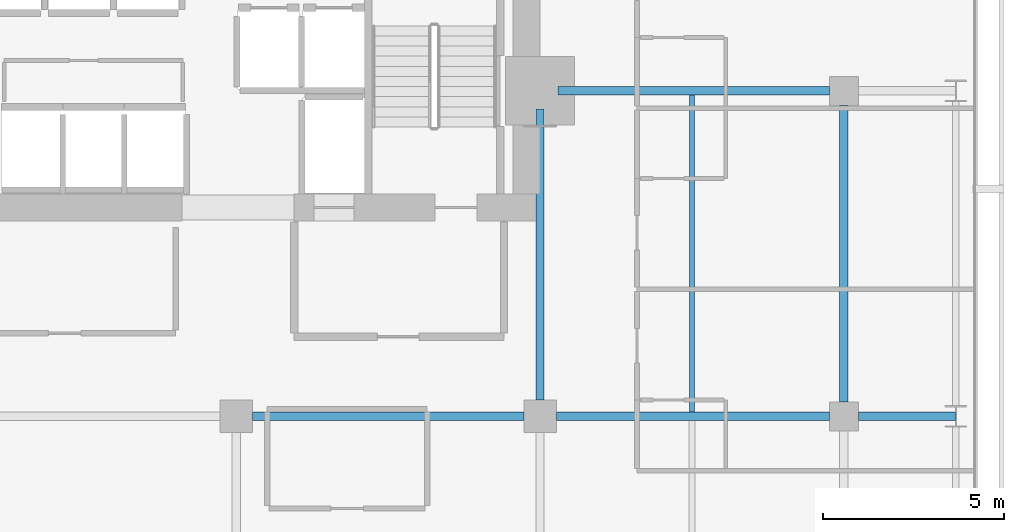
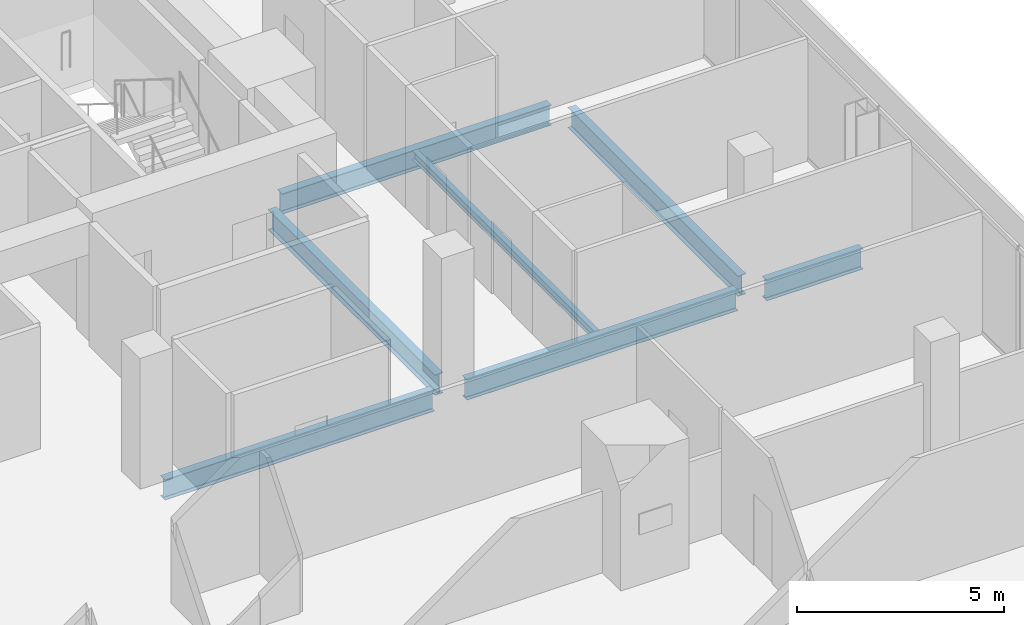
# One storey, part 23 of 34: 7 beams.
"""IFC4 building model written with IfcOpenShell, lengths in metres."""

from ifc_helpers import new_model, si_unit, direction, frame, origin, origin_2d, place, context, subcontext, project, spatial, i_section, extrude, material, material_profile, profile_set, type_object, element, save


model = new_model("IFC4")

# Units and contexts
model_context = context("Model", 3, precision=1e-05, world=origin(), true_north=direction((0.0, 1.0)))
body_context = subcontext(model_context, "Body", "Model", "MODEL_VIEW")
ifc_project = project(units=[si_unit("LENGTHUNIT", "METRE"), si_unit("AREAUNIT", "SQUARE_METRE"), si_unit("VOLUMEUNIT", "CUBIC_METRE"), si_unit("PLANEANGLEUNIT", "RADIAN"), si_unit("MASSUNIT", "GRAM", prefix="KILO")], contexts=[model_context])

# Site, building, storey
site_placement = place(None, origin())
site = spatial("IfcSite", under=ifc_project, at=site_placement, CompositionType="ELEMENT")
building_placement = place(site_placement, origin())
building = spatial("IfcBuilding", under=site, at=building_placement, Name="Maruvema Waterfront Hotel and Observation Tower", CompositionType="ELEMENT")
storey_placement = place(building_placement, frame((0.0, 0.0, 173.60009765625)))
storey = spatial("IfcBuildingStorey", under=building, at=storey_placement, Name="L42", CompositionType="ELEMENT", Elevation=173.60009765625)

# Beams
ifc_material_1 = material(Name="Steel ASTM A572 Grade 50", Category="steel")
ifc_material_profile_1 = material_profile(ifc_material_1, i_section(OverallWidth=0.22802734375, OverallDepth=0.60302734375, WebThickness=0.010498046875, FlangeThickness=0.014892578125, FilletRadius=0.01806640625, at=origin_2d()), Name="W610x101.0")
ifc_profile_set_1 = profile_set([ifc_material_profile_1], Name="Steel ASTM A572 Grade 50")
beam_type_1 = type_object("IfcBeamType", Name="Primary Floor Girder W610x101.0", PredefinedType="BEAM", material=ifc_profile_set_1)
beam_1_placement = place(storey_placement, frame((42.449951171875, 36.0, -0.54150390625), z_axis=(1.0, 0.0, 0.0), x_axis=(0.0, 1.0, 0.0)))
element("IfcBeam", 1, at=beam_1_placement, inside=storey, type_object=beam_type_1, Name="L42 Floor Girder EW-27", PredefinedType="BEAM", context=body_context, shape_type="SweptSolid", body=[
    extrude(i_section(OverallWidth=0.22802734375, OverallDepth=0.60302734375, WebThickness=0.010498046875, FlangeThickness=0.014892578125, FilletRadius=0.01806640625, at=origin_2d()), origin(), (0.0, 0.0, 1.0), 7.5),
])
beam_2_placement = place(storey_placement, frame((50.85009765625, 36.0, -0.54150390625), z_axis=(1.0, 0.0, 0.0), x_axis=(0.0, 1.0, 0.0)))
element("IfcBeam", 2, at=beam_2_placement, inside=storey, type_object=beam_type_1, Name="L42 Floor Girder EW-28", PredefinedType="BEAM", context=body_context, shape_type="SweptSolid", body=[
    extrude(i_section(OverallWidth=0.22802734375, OverallDepth=0.60302734375, WebThickness=0.010498046875, FlangeThickness=0.014892578125, FilletRadius=0.01806640625, at=origin_2d()), origin(), (0.0, 0.0, 1.0), 7.5498046875),
])
beam_3_placement = place(storey_placement, frame((59.199951171875, 36.0, -0.54150390625), z_axis=(1.0, 0.0, 0.0), x_axis=(0.0, 1.0, 0.0)))
element("IfcBeam", 3, at=beam_3_placement, inside=storey, type_object=beam_type_1, Name="L42 Floor Girder EW-29", PredefinedType="BEAM", context=body_context, shape_type="SweptSolid", body=[
    extrude(i_section(OverallWidth=0.22802734375, OverallDepth=0.60302734375, WebThickness=0.010498046875, FlangeThickness=0.014892578125, FilletRadius=0.01806640625, at=origin_2d()), origin(), (0.0, 0.0, 1.0), 2.6875),
])
beam_4_placement = place(storey_placement, frame((50.89990234375, 45.0, -0.54150390625), z_axis=(1.0, 0.0, 0.0), x_axis=(0.0, 1.0, 0.0)))
element("IfcBeam", 4, at=beam_4_placement, inside=storey, type_object=beam_type_1, Name="L42 Floor Girder EW-32", PredefinedType="BEAM", context=body_context, shape_type="SweptSolid", body=[
    extrude(i_section(OverallWidth=0.22802734375, OverallDepth=0.60302734375, WebThickness=0.010498046875, FlangeThickness=0.014892578125, FilletRadius=0.01806640625, at=origin_2d()), origin(), (0.0, 0.0, 1.0), 7.5),
])
beam_5_placement = place(storey_placement, frame((50.39990234375, 36.449951171875, -0.54150390625), z_axis=(0.0, 1.0, 0.0), x_axis=(-1.0, 0.0, 0.0)))
element("IfcBeam", 5, at=beam_5_placement, inside=storey, type_object=beam_type_1, Name="L42 Floor Girder NS-24", PredefinedType="BEAM", context=body_context, shape_type="SweptSolid", body=[
    extrude(i_section(OverallWidth=0.22802734375, OverallDepth=0.60302734375, WebThickness=0.010498046875, FlangeThickness=0.014892578125, FilletRadius=0.01806640625, at=origin_2d()), origin(), (0.0, 0.0, 1.0), 8.050048828125),
])
beam_6_placement = place(storey_placement, frame((58.800048828125, 36.39990234375, -0.54150390625), z_axis=(0.0, 1.0, 0.0), x_axis=(-1.0, 0.0, 0.0)))
element("IfcBeam", 6, at=beam_6_placement, inside=storey, type_object=beam_type_1, Name="L42 Floor Girder NS-28", PredefinedType="BEAM", context=body_context, shape_type="SweptSolid", body=[
    extrude(i_section(OverallWidth=0.22802734375, OverallDepth=0.60302734375, WebThickness=0.010498046875, FlangeThickness=0.014892578125, FilletRadius=0.01806640625, at=origin_2d()), origin(), (0.0, 0.0, 1.0), 8.2001953125),
])
ifc_material_2 = material(Name="Steel ASTM A572 Grade 50", Category="steel")
ifc_material_profile_2 = material_profile(ifc_material_2, i_section(OverallWidth=0.14794921875, OverallDepth=0.26611328125, WebThickness=0.007568359375, FlangeThickness=0.012939453125, FilletRadius=0.012939453125, at=origin_2d()), Name="W250x44.8")
ifc_profile_set_2 = profile_set([ifc_material_profile_2], Name="Steel ASTM A572 Grade 50")
beam_type_2 = type_object("IfcBeamType", Name="Secondary Floor Joist W250x44.8", PredefinedType="JOIST", material=ifc_profile_set_2)
beam_7_placement = place(storey_placement, frame((54.60009765625, 36.114013671875, -0.373046875), z_axis=(0.0, 1.0, 0.0), x_axis=(-1.0, 0.0, 0.0)))
element("IfcBeam", 7, at=beam_7_placement, inside=storey, type_object=beam_type_2, Name="L42 Secondary Floor Joist JS-14", PredefinedType="JOIST", context=body_context, shape_type="SweptSolid", body=[
    extrude(i_section(OverallWidth=0.14794921875, OverallDepth=0.26611328125, WebThickness=0.007568359375, FlangeThickness=0.012939453125, FilletRadius=0.012939453125, at=origin_2d()), origin(), (0.0, 0.0, 1.0), 8.77197265625),
])

save(model, "model.ifc")
